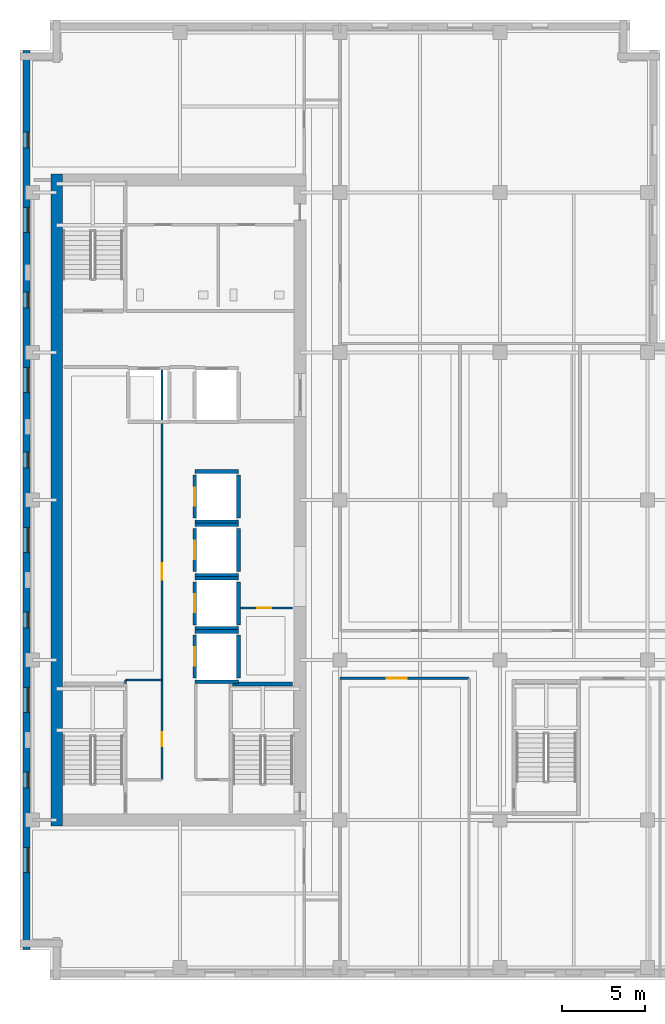
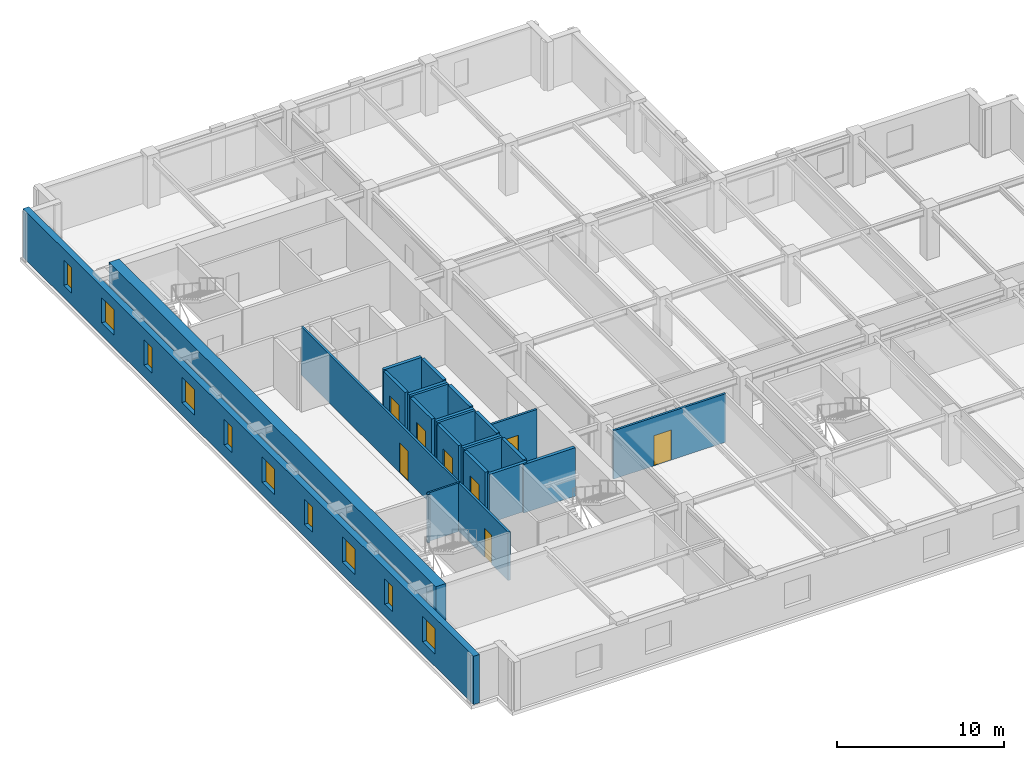
# One storey, part 4 of 11: 24 walls, 10 windows, 8 doors, 18 openings.
"""IFC4 building model written with IfcOpenShell, lengths in metres."""

from ifc_helpers import new_model, si_unit, direction, frame, frame_2d, origin, place, context, subcontext, project, spatial, rectangle, extrude, material, layer, layer_set, type_object, element, fill, save


model = new_model("IFC4")

# Units and contexts
model_context = context("Model", 3, precision=1e-05, world=origin(), true_north=direction((0.0, 1.0)))
body_context = subcontext(model_context, "Body", "Model", "MODEL_VIEW")
ifc_project = project(units=[si_unit("LENGTHUNIT", "METRE"), si_unit("AREAUNIT", "SQUARE_METRE"), si_unit("VOLUMEUNIT", "CUBIC_METRE"), si_unit("PLANEANGLEUNIT", "RADIAN"), si_unit("MASSUNIT", "GRAM", prefix="KILO")], contexts=[model_context])

# Site, building, storey
site_placement = place(None, origin())
site = spatial("IfcSite", under=ifc_project, at=site_placement, CompositionType="ELEMENT")
building_placement = place(site_placement, origin())
building = spatial("IfcBuilding", under=site, at=building_placement, Name="Norrvale University Quadrangle", CompositionType="ELEMENT")
storey_placement = place(building_placement, frame((0.0, 0.0, 206.60009765625)))
storey = spatial("IfcBuildingStorey", under=building, at=storey_placement, Name="L52", CompositionType="ELEMENT", Elevation=206.60009765625)

# Wall, openings, windows
ifc_material_1 = material(Name="Buff Norman Clay Brick Masonry", Category="masonry")
ifc_layer_1 = layer(ifc_material_1, 0.419921875, Name="Buff Norman Clay Brick Masonry")
ifc_layer_set_1 = layer_set([ifc_layer_1], Name="Buff Norman Clay Brick Masonry")
wall_type_1 = type_object("IfcWallType", Name="Wall Buff Brick 420", PredefinedType="SOLIDWALL", material=ifc_layer_set_1)
wall_1_placement = place(storey_placement, frame((0.389892578125, 55.760009765625, 0.0), z_axis=(0.0, 0.0, 1.0), x_axis=(0.0, -1.0, 0.0)))
wall_1 = element("IfcWall", 1, at=wall_1_placement, inside=storey, type_object=wall_type_1, Name="Exterior Brick Facade Wall L52-14.1", PredefinedType="SOLIDWALL", context=body_context, shape_type="SweptSolid", body=[
    extrude(rectangle(XDim=53.919921875, YDim=0.419921875, at=frame_2d((26.9599609375, 0.0))), origin(), (0.0, 0.0, 1.0), 3.539794921875),
])
opening_1_placement = place(wall_1_placement, frame((4.885009765625, 0.0, 0.89990234375)))
opening_1 = element("IfcOpeningElement", 2, at=opening_1_placement, cuts=wall_1, Name="Opening W04", PredefinedType="OPENING", context=body_context, shape_type="SweptSolid", body=[
    extrude(rectangle(XDim=0.949951171875, YDim=1.85009765625, at=frame_2d((0.47509765625, 0.925048828125))), frame((0.0, 0.221923828125, 0.0), z_axis=(0.0, -1.0, 0.0), x_axis=(1.0, 0.0, 0.0)), (0.0, 0.0, 1.0), 0.44384765625),
])
opening_2_placement = place(wall_1_placement, frame((9.409912109375, 0.0, 0.89990234375)))
opening_2 = element("IfcOpeningElement", 3, at=opening_2_placement, cuts=wall_1, Name="Opening W03", PredefinedType="OPENING", context=body_context, shape_type="SweptSolid", body=[
    extrude(rectangle(XDim=1.5, YDim=1.85009765625, at=frame_2d((0.75, 0.925048828125))), frame((0.0, 0.221923828125, 0.0), z_axis=(0.0, -1.0, 0.0), x_axis=(1.0, 0.0, 0.0)), (0.0, 0.0, 1.0), 0.44384765625),
])
opening_3_placement = place(wall_1_placement, frame((14.485107421875, 0.0, 0.89990234375)))
opening_3 = element("IfcOpeningElement", 4, at=opening_3_placement, cuts=wall_1, Name="Opening W04", PredefinedType="OPENING", context=body_context, shape_type="SweptSolid", body=[
    extrude(rectangle(XDim=0.949951171875, YDim=1.85009765625, at=frame_2d((0.47509765625, 0.925048828125))), frame((0.0, 0.221923828125, 0.0), z_axis=(0.0, -1.0, 0.0), x_axis=(1.0, 0.0, 0.0)), (0.0, 0.0, 1.0), 0.44384765625),
])
opening_4_placement = place(wall_1_placement, frame((19.010009765625, 0.0, 0.89990234375)))
opening_4 = element("IfcOpeningElement", 5, at=opening_4_placement, cuts=wall_1, Name="Opening W03", PredefinedType="OPENING", context=body_context, shape_type="SweptSolid", body=[
    extrude(rectangle(XDim=1.5, YDim=1.85009765625, at=frame_2d((0.75, 0.925048828125))), frame((0.0, 0.221923828125, 0.0), z_axis=(0.0, -1.0, 0.0), x_axis=(1.0, 0.0, 0.0)), (0.0, 0.0, 1.0), 0.44384765625),
])
opening_5_placement = place(wall_1_placement, frame((24.0849609375, 0.0, 0.89990234375)))
opening_5 = element("IfcOpeningElement", 6, at=opening_5_placement, cuts=wall_1, Name="Opening W04", PredefinedType="OPENING", context=body_context, shape_type="SweptSolid", body=[
    extrude(rectangle(XDim=0.949951171875, YDim=1.85009765625, at=frame_2d((0.47509765625, 0.925048828125))), frame((0.0, 0.221923828125, 0.0), z_axis=(0.0, -1.0, 0.0), x_axis=(1.0, 0.0, 0.0)), (0.0, 0.0, 1.0), 0.44384765625),
])
opening_6_placement = place(wall_1_placement, frame((28.610107421875, 0.0, 0.89990234375)))
opening_6 = element("IfcOpeningElement", 7, at=opening_6_placement, cuts=wall_1, Name="Opening W03", PredefinedType="OPENING", context=body_context, shape_type="SweptSolid", body=[
    extrude(rectangle(XDim=1.5, YDim=1.85009765625, at=frame_2d((0.75, 0.925048828125))), frame((0.0, 0.221923828125, 0.0), z_axis=(0.0, -1.0, 0.0), x_axis=(1.0, 0.0, 0.0)), (0.0, 0.0, 1.0), 0.44384765625),
])
opening_7_placement = place(wall_1_placement, frame((33.68505859375, 0.0, 0.89990234375)))
opening_7 = element("IfcOpeningElement", 8, at=opening_7_placement, cuts=wall_1, Name="Opening W04", PredefinedType="OPENING", context=body_context, shape_type="SweptSolid", body=[
    extrude(rectangle(XDim=0.949951171875, YDim=1.85009765625, at=frame_2d((0.47509765625, 0.925048828125))), frame((0.0, 0.221923828125, 0.0), z_axis=(0.0, -1.0, 0.0), x_axis=(1.0, 0.0, 0.0)), (0.0, 0.0, 1.0), 0.44384765625),
])
opening_8_placement = place(wall_1_placement, frame((38.2099609375, 0.0, 0.89990234375)))
opening_8 = element("IfcOpeningElement", 9, at=opening_8_placement, cuts=wall_1, Name="Opening W03", PredefinedType="OPENING", context=body_context, shape_type="SweptSolid", body=[
    extrude(rectangle(XDim=1.5, YDim=1.85009765625, at=frame_2d((0.75, 0.925048828125))), frame((0.0, 0.221923828125, 0.0), z_axis=(0.0, -1.0, 0.0), x_axis=(1.0, 0.0, 0.0)), (0.0, 0.0, 1.0), 0.44384765625),
])
opening_9_placement = place(wall_1_placement, frame((43.284912109375, 0.0, 0.89990234375)))
opening_9 = element("IfcOpeningElement", 10, at=opening_9_placement, cuts=wall_1, Name="Opening W04", PredefinedType="OPENING", context=body_context, shape_type="SweptSolid", body=[
    extrude(rectangle(XDim=0.949951171875, YDim=1.85009765625, at=frame_2d((0.47509765625, 0.925048828125))), frame((0.0, 0.221923828125, 0.0), z_axis=(0.0, -1.0, 0.0), x_axis=(1.0, 0.0, 0.0)), (0.0, 0.0, 1.0), 0.44384765625),
])
opening_10_placement = place(wall_1_placement, frame((47.81005859375, 0.0, 0.89990234375)))
opening_10 = element("IfcOpeningElement", 11, at=opening_10_placement, cuts=wall_1, Name="Opening W03", PredefinedType="OPENING", context=body_context, shape_type="SweptSolid", body=[
    extrude(rectangle(XDim=1.5, YDim=1.85009765625, at=frame_2d((0.75, 0.925048828125))), frame((0.0, 0.221923828125, 0.0), z_axis=(0.0, -1.0, 0.0), x_axis=(1.0, 0.0, 0.0)), (0.0, 0.0, 1.0), 0.44384765625),
])
ifc_material_2 = material(Name="Triple Low-E Argon Glazing", Category="glass")
window_type_1 = type_object("IfcWindowType", Name="Window Narrow Pier 950x2300", PartitioningType="SINGLE_PANEL", PredefinedType="WINDOW", material=ifc_material_2)
window_1_placement = place(opening_1_placement, origin())
window_1 = element("IfcWindow", 12, at=window_1_placement, inside=storey, type_object=window_type_1, Name="Window Narrow Pier 950x2300 WIN-L52-E14-1-01", OverallHeight=1.85009765625, OverallWidth=0.949951171875, PartitioningType="SINGLE_PANEL", PredefinedType="WINDOW", context=body_context, shape_type="SweptSolid", body=[
    extrude(rectangle(XDim=0.949951171875, YDim=1.85009765625, at=frame_2d((0.47509765625, 0.925048828125))), frame((0.0, 0.110107421875, 0.0), z_axis=(0.0, -1.0, 0.0), x_axis=(1.0, 0.0, 0.0)), (0.0, 0.0, 1.0), 0.06005859375),
])
fill(opening_1, window_1)
window_2_placement = place(opening_3_placement, origin())
window_2 = element("IfcWindow", 13, at=window_2_placement, inside=storey, type_object=window_type_1, Name="Window Narrow Pier 950x2300 WIN-L52-E14-1-03", OverallHeight=1.85009765625, OverallWidth=0.949951171875, PartitioningType="SINGLE_PANEL", PredefinedType="WINDOW", context=body_context, shape_type="SweptSolid", body=[
    extrude(rectangle(XDim=0.949951171875, YDim=1.85009765625, at=frame_2d((0.47509765625, 0.925048828125))), frame((0.0, 0.110107421875, 0.0), z_axis=(0.0, -1.0, 0.0), x_axis=(1.0, 0.0, 0.0)), (0.0, 0.0, 1.0), 0.06005859375),
])
fill(opening_3, window_2)
window_3_placement = place(opening_5_placement, origin())
window_3 = element("IfcWindow", 14, at=window_3_placement, inside=storey, type_object=window_type_1, Name="Window Narrow Pier 950x2300 WIN-L52-E14-1-05", OverallHeight=1.85009765625, OverallWidth=0.949951171875, PartitioningType="SINGLE_PANEL", PredefinedType="WINDOW", context=body_context, shape_type="SweptSolid", body=[
    extrude(rectangle(XDim=0.949951171875, YDim=1.85009765625, at=frame_2d((0.47509765625, 0.925048828125))), frame((0.0, 0.110107421875, 0.0), z_axis=(0.0, -1.0, 0.0), x_axis=(1.0, 0.0, 0.0)), (0.0, 0.0, 1.0), 0.06005859375),
])
fill(opening_5, window_3)
window_4_placement = place(opening_7_placement, origin())
window_4 = element("IfcWindow", 15, at=window_4_placement, inside=storey, type_object=window_type_1, Name="Window Narrow Pier 950x2300 WIN-L52-E14-1-07", OverallHeight=1.85009765625, OverallWidth=0.949951171875, PartitioningType="SINGLE_PANEL", PredefinedType="WINDOW", context=body_context, shape_type="SweptSolid", body=[
    extrude(rectangle(XDim=0.949951171875, YDim=1.85009765625, at=frame_2d((0.47509765625, 0.925048828125))), frame((0.0, 0.110107421875, 0.0), z_axis=(0.0, -1.0, 0.0), x_axis=(1.0, 0.0, 0.0)), (0.0, 0.0, 1.0), 0.06005859375),
])
fill(opening_7, window_4)
window_5_placement = place(opening_9_placement, origin())
window_5 = element("IfcWindow", 16, at=window_5_placement, inside=storey, type_object=window_type_1, Name="Window Narrow Pier 950x2300 WIN-L52-E14-1-09", OverallHeight=1.85009765625, OverallWidth=0.949951171875, PartitioningType="SINGLE_PANEL", PredefinedType="WINDOW", context=body_context, shape_type="SweptSolid", body=[
    extrude(rectangle(XDim=0.949951171875, YDim=1.85009765625, at=frame_2d((0.47509765625, 0.925048828125))), frame((0.0, 0.110107421875, 0.0), z_axis=(0.0, -1.0, 0.0), x_axis=(1.0, 0.0, 0.0)), (0.0, 0.0, 1.0), 0.06005859375),
])
fill(opening_9, window_5)
window_type_2 = type_object("IfcWindowType", Name="Window Studio 1500x2300", PartitioningType="DOUBLE_PANEL_VERTICAL", PredefinedType="WINDOW", material=ifc_material_2)
window_6_placement = place(opening_2_placement, origin())
window_6 = element("IfcWindow", 17, at=window_6_placement, inside=storey, type_object=window_type_2, Name="Window Studio 1500x2300 WIN-L52-E14-1-02", OverallHeight=1.85009765625, OverallWidth=1.5, PartitioningType="DOUBLE_PANEL_VERTICAL", PredefinedType="WINDOW", context=body_context, shape_type="SweptSolid", body=[
    extrude(rectangle(XDim=1.5, YDim=1.85009765625, at=frame_2d((0.75, 0.925048828125))), frame((0.0, 0.110107421875, 0.0), z_axis=(0.0, -1.0, 0.0), x_axis=(1.0, 0.0, 0.0)), (0.0, 0.0, 1.0), 0.06005859375),
])
fill(opening_2, window_6)
window_7_placement = place(opening_4_placement, origin())
window_7 = element("IfcWindow", 18, at=window_7_placement, inside=storey, type_object=window_type_2, Name="Window Studio 1500x2300 WIN-L52-E14-1-04", OverallHeight=1.85009765625, OverallWidth=1.5, PartitioningType="DOUBLE_PANEL_VERTICAL", PredefinedType="WINDOW", context=body_context, shape_type="SweptSolid", body=[
    extrude(rectangle(XDim=1.5, YDim=1.85009765625, at=frame_2d((0.75, 0.925048828125))), frame((0.0, 0.110107421875, 0.0), z_axis=(0.0, -1.0, 0.0), x_axis=(1.0, 0.0, 0.0)), (0.0, 0.0, 1.0), 0.06005859375),
])
fill(opening_4, window_7)
window_8_placement = place(opening_6_placement, origin())
window_8 = element("IfcWindow", 19, at=window_8_placement, inside=storey, type_object=window_type_2, Name="Window Studio 1500x2300 WIN-L52-E14-1-06", OverallHeight=1.85009765625, OverallWidth=1.5, PartitioningType="DOUBLE_PANEL_VERTICAL", PredefinedType="WINDOW", context=body_context, shape_type="SweptSolid", body=[
    extrude(rectangle(XDim=1.5, YDim=1.85009765625, at=frame_2d((0.75, 0.925048828125))), frame((0.0, 0.110107421875, 0.0), z_axis=(0.0, -1.0, 0.0), x_axis=(1.0, 0.0, 0.0)), (0.0, 0.0, 1.0), 0.06005859375),
])
fill(opening_6, window_8)
window_9_placement = place(opening_8_placement, origin())
window_9 = element("IfcWindow", 20, at=window_9_placement, inside=storey, type_object=window_type_2, Name="Window Studio 1500x2300 WIN-L52-E14-1-08", OverallHeight=1.85009765625, OverallWidth=1.5, PartitioningType="DOUBLE_PANEL_VERTICAL", PredefinedType="WINDOW", context=body_context, shape_type="SweptSolid", body=[
    extrude(rectangle(XDim=1.5, YDim=1.85009765625, at=frame_2d((0.75, 0.925048828125))), frame((0.0, 0.110107421875, 0.0), z_axis=(0.0, -1.0, 0.0), x_axis=(1.0, 0.0, 0.0)), (0.0, 0.0, 1.0), 0.06005859375),
])
fill(opening_8, window_9)
window_10_placement = place(opening_10_placement, origin())
window_10 = element("IfcWindow", 21, at=window_10_placement, inside=storey, type_object=window_type_2, Name="Window Studio 1500x2300 WIN-L52-E14-1-10", OverallHeight=1.85009765625, OverallWidth=1.5, PartitioningType="DOUBLE_PANEL_VERTICAL", PredefinedType="WINDOW", context=body_context, shape_type="SweptSolid", body=[
    extrude(rectangle(XDim=1.5, YDim=1.85009765625, at=frame_2d((0.75, 0.925048828125))), frame((0.0, 0.110107421875, 0.0), z_axis=(0.0, -1.0, 0.0), x_axis=(1.0, 0.0, 0.0)), (0.0, 0.0, 1.0), 0.06005859375),
])
fill(opening_10, window_10)

# Walls
ifc_material_3 = material(Name="Concrete C60/75", Category="concrete")
ifc_layer_2 = layer(ifc_material_3, 0.699951171875, Name="Concrete C60/75")
ifc_layer_set_2 = layer_set([ifc_layer_2], Name="Concrete C60/75")
wall_type_2 = type_object("IfcWallType", Name="Wall Core 700", PredefinedType="SHEAR", material=ifc_layer_set_2)
wall_2_placement = place(storey_placement, frame((2.199951171875, 9.25, 0.0), z_axis=(0.0, 0.0, 1.0), x_axis=(0.0, 1.0, 0.0)))
element("IfcWall", 22, at=wall_2_placement, inside=storey, type_object=wall_type_2, Name="Tower Core Shear Wall L52-W", PredefinedType="SHEAR", context=body_context, shape_type="SweptSolid", body=[
    extrude(rectangle(XDim=39.10009765625, YDim=0.699951171875, at=frame_2d((19.550048828125, 0.0))), origin(), (0.0, 0.0, 1.0), 3.539794921875),
])
ifc_material_4 = material(Name="Standard Academic Gypsum Partition")
ifc_layer_3 = layer(ifc_material_4, 0.125, Name="Standard Academic Gypsum Partition")
ifc_layer_set_3 = layer_set([ifc_layer_3], Name="Standard Academic Gypsum Partition")
wall_type_3 = type_object("IfcWallType", Name="Wall Gypsum Academic 125", PredefinedType="PARTITIONING", material=ifc_layer_set_3)
wall_3_placement = place(storey_placement, frame((6.320068359375, 17.800048828125, 0.0), z_axis=(0.0, 0.0, 1.0), x_axis=(0.0, 1.0, 0.0)))
element("IfcWall", 23, at=wall_3_placement, inside=storey, type_object=wall_type_3, Name="Interior Partition WL-L52-REC-L1", PredefinedType="PARTITIONING", context=body_context, shape_type="SweptSolid", body=[
    extrude(rectangle(XDim=0.199951171875, YDim=0.125, at=frame_2d((0.10009765625, 0.0))), origin(), (0.0, 0.0, 1.0), 3.539794921875),
])
wall_4_placement = place(storey_placement, frame((6.320068359375, 18.0, 0.0), z_axis=(0.0, 0.0, 1.0), x_axis=(1.0, 0.0, 0.0)))
element("IfcWall", 24, at=wall_4_placement, inside=storey, type_object=wall_type_3, Name="Interior Partition WL-L52-REC-L2", PredefinedType="PARTITIONING", context=body_context, shape_type="SweptSolid", body=[
    extrude(rectangle(XDim=2.199951171875, YDim=0.125, at=frame_2d((1.10009765625, 0.0))), origin(), (0.0, 0.0, 1.0), 3.539794921875),
])

# Wall, opening, door
ifc_material_5 = material(Name="Fire-Rated Gypsum Stud Partition")
ifc_layer_4 = layer(ifc_material_5, 0.14990234375, Name="Fire-Rated Gypsum Stud Partition")
ifc_layer_set_4 = layer_set([ifc_layer_4], Name="Fire-Rated Gypsum Stud Partition")
wall_type_4 = type_object("IfcWallType", Name="Wall Gypsum Corridor 150", PredefinedType="PARTITIONING", material=ifc_layer_set_4)
wall_5_placement = place(storey_placement, frame((13.22509765625, 22.320068359375, 0.0), z_axis=(0.0, 0.0, 1.0), x_axis=(1.0, 0.0, 0.0)))
wall_5 = element("IfcWall", 25, at=wall_5_placement, inside=storey, type_object=wall_type_4, Name="Interior Partition WL-L52-JAN-N", PredefinedType="PARTITIONING", context=body_context, shape_type="SweptSolid", body=[
    extrude(rectangle(XDim=3.119873046875, YDim=0.14990234375, at=frame_2d((1.56005859375, 0.0))), origin(), (0.0, 0.0, 1.0), 3.539794921875),
])
opening_11_placement = place(wall_5_placement, frame((1.0, 0.0, 0.0)))
opening_11 = element("IfcOpeningElement", 26, at=opening_11_placement, cuts=wall_5, Name="Opening D10", PredefinedType="OPENING", context=body_context, shape_type="SweptSolid", body=[
    extrude(rectangle(XDim=0.85009765625, YDim=2.10009765625, at=frame_2d((0.425048828125, 1.050048828125))), frame((0.0, 0.0869140625, 0.0), z_axis=(0.0, -1.0, 0.0), x_axis=(1.0, 0.0, 0.0)), (0.0, 0.0, 1.0), 0.173828125),
])
ifc_material_6 = material(Name="Hollow Steel 350W Riser Fire Door", Category="steel")
door_type_1 = type_object("IfcDoorType", Name="Door Riser 850x2100", OperationType="NOTDEFINED", PredefinedType="DOOR", material=ifc_material_6)
door_1_placement = place(opening_11_placement, origin())
door_1 = element("IfcDoor", 27, at=door_1_placement, inside=storey, type_object=door_type_1, Name="Door Riser 850x2100 DR-L52-JAN", OperationType="SINGLE_SWING_LEFT", OverallHeight=2.10009765625, OverallWidth=0.85009765625, PredefinedType="DOOR", context=body_context, shape_type="SweptSolid", body=[
    extrude(rectangle(XDim=0.85009765625, YDim=2.10009765625, at=frame_2d((0.425048828125, 1.050048828125))), frame((0.0, 0.02490234375, 0.0), z_axis=(0.0, -1.0, 0.0), x_axis=(1.0, 0.0, 0.0)), (0.0, 0.0, 1.0), 0.050048828125),
])
fill(opening_11, door_1)

# Wall, openings, doors
wall_6_placement = place(storey_placement, frame((8.52001953125, 12.02001953125, 0.0), z_axis=(0.0, 0.0, 1.0), x_axis=(0.0, 1.0, 0.0)))
wall_6 = element("IfcWall", 28, at=wall_6_placement, inside=storey, type_object=wall_type_4, Name="Interior Partition WL-L52-REC-E", PredefinedType="PARTITIONING", context=body_context, shape_type="SweptSolid", body=[
    extrude(rectangle(XDim=24.760009765625, YDim=0.14990234375, at=frame_2d((12.3798828125, 0.0))), origin(), (0.0, 0.0, 1.0), 3.539794921875),
])
opening_12_placement = place(wall_6_placement, frame((2.0, 0.0, 0.0)))
opening_12 = element("IfcOpeningElement", 29, at=opening_12_placement, cuts=wall_6, Name="Opening D10", PredefinedType="OPENING", context=body_context, shape_type="SweptSolid", body=[
    extrude(rectangle(XDim=0.85009765625, YDim=2.10009765625, at=frame_2d((0.425048828125, 1.050048828125))), frame((0.0, 0.0869140625, 0.0), z_axis=(0.0, -1.0, 0.0), x_axis=(1.0, 0.0, 0.0)), (0.0, 0.0, 1.0), 0.173828125),
])
opening_13_placement = place(wall_6_placement, frame((12.0, 0.0, 0.0)))
opening_13 = element("IfcOpeningElement", 30, at=opening_13_placement, cuts=wall_6, Name="Opening D04", PredefinedType="OPENING", context=body_context, shape_type="SweptSolid", body=[
    extrude(rectangle(XDim=1.0, YDim=2.199951171875, at=frame_2d((0.5, 1.10009765625))), frame((0.0, 0.0869140625, 0.0), z_axis=(0.0, -1.0, 0.0), x_axis=(1.0, 0.0, 0.0)), (0.0, 0.0, 1.0), 0.173828125),
])
ifc_material_7 = material(Name="Solid-Core Oak Fire Door", Category="wood")
door_type_2 = type_object("IfcDoorType", Name="Door Corridor 1000x2200", OperationType="NOTDEFINED", PredefinedType="DOOR", material=ifc_material_7)
door_2_placement = place(opening_13_placement, origin())
door_2 = element("IfcDoor", 31, at=door_2_placement, inside=storey, type_object=door_type_2, Name="Door Corridor 1000x2200 DR-L52-REC2", OperationType="SINGLE_SWING_RIGHT", OverallHeight=2.199951171875, OverallWidth=1.0, PredefinedType="DOOR", context=body_context, shape_type="SweptSolid", body=[
    extrude(rectangle(XDim=1.0, YDim=2.199951171875, at=frame_2d((0.5, 1.10009765625))), frame((0.0, 0.02490234375, 0.0), z_axis=(0.0, -1.0, 0.0), x_axis=(1.0, 0.0, 0.0)), (0.0, 0.0, 1.0), 0.050048828125),
])
fill(opening_13, door_2)
door_3_placement = place(opening_12_placement, origin())
door_3 = element("IfcDoor", 32, at=door_3_placement, inside=storey, type_object=door_type_1, Name="Door Riser 850x2100 DR-L52-REC1", OperationType="SINGLE_SWING_LEFT", OverallHeight=2.10009765625, OverallWidth=0.85009765625, PredefinedType="DOOR", context=body_context, shape_type="SweptSolid", body=[
    extrude(rectangle(XDim=0.85009765625, YDim=2.10009765625, at=frame_2d((0.425048828125, 1.050048828125))), frame((0.0, 0.02490234375, 0.0), z_axis=(0.0, -1.0, 0.0), x_axis=(1.0, 0.0, 0.0)), (0.0, 0.0, 1.0), 0.050048828125),
])
fill(opening_12, door_3)

# Wall, opening, door
wall_7_placement = place(storey_placement, frame((19.199951171875, 18.10009765625, 0.0), z_axis=(0.0, 0.0, 1.0), x_axis=(1.0, 0.0, 0.0)))
wall_7 = element("IfcWall", 33, at=wall_7_placement, inside=storey, type_object=wall_type_4, Name="Interior Partition WL-L52-SEW1", PredefinedType="PARTITIONING", context=body_context, shape_type="SweptSolid", body=[
    extrude(rectangle(XDim=7.75, YDim=0.14990234375, at=frame_2d((3.875, 0.0))), origin(), (0.0, 0.0, 1.0), 3.539794921875),
])
opening_14_placement = place(wall_7_placement, frame((2.800048828125, 0.0, 0.0)))
opening_14 = element("IfcOpeningElement", 34, at=opening_14_placement, cuts=wall_7, Name="Opening D05", PredefinedType="OPENING", context=body_context, shape_type="SweptSolid", body=[
    extrude(rectangle(XDim=1.199951171875, YDim=2.199951171875, at=frame_2d((0.60009765625, 1.10009765625))), frame((0.0, 0.0869140625, 0.0), z_axis=(0.0, -1.0, 0.0), x_axis=(1.0, 0.0, 0.0)), (0.0, 0.0, 1.0), 0.173828125),
])
ifc_material_8 = material(Name="Acoustic Oak Classroom Door", Category="wood")
door_type_3 = type_object("IfcDoorType", Name="Door Classroom 1200x2200", OperationType="NOTDEFINED", PredefinedType="DOOR", material=ifc_material_8)
door_4_placement = place(opening_14_placement, origin())
door_4 = element("IfcDoor", 35, at=door_4_placement, inside=storey, type_object=door_type_3, Name="Door Classroom 1200x2200 DR-L52-SE1", OperationType="SINGLE_SWING_LEFT", OverallHeight=2.199951171875, OverallWidth=1.199951171875, PredefinedType="DOOR", context=body_context, shape_type="SweptSolid", body=[
    extrude(rectangle(XDim=1.199951171875, YDim=2.199951171875, at=frame_2d((0.60009765625, 1.10009765625))), frame((0.0, 0.02490234375, 0.0), z_axis=(0.0, -1.0, 0.0), x_axis=(1.0, 0.0, 0.0)), (0.0, 0.0, 1.0), 0.050048828125),
])
fill(opening_14, door_4)

# Wall
ifc_material_9 = material(Name="Concrete Blockwork 20 MPa Fire Shaft", Category="masonry")
ifc_layer_5 = layer(ifc_material_9, 0.219970703125, Name="Concrete Blockwork 20 MPa Fire Shaft")
ifc_layer_set_5 = layer_set([ifc_layer_5], Name="Concrete Blockwork 20 MPa Fire Shaft")
wall_type_5 = type_object("IfcWallType", Name="Wall Shaft 220", PredefinedType="SOLIDWALL", material=ifc_layer_set_5)
wall_8_placement = place(storey_placement, frame((12.75, 17.760009765625, 0.0), z_axis=(0.0, 0.0, 1.0), x_axis=(1.0, 0.0, 0.0)))
element("IfcWall", 36, at=wall_8_placement, inside=storey, type_object=wall_type_5, Name="Stair ST-03 North Shaft Wall L52", PredefinedType="SOLIDWALL", context=body_context, shape_type="SweptSolid", body=[
    extrude(rectangle(XDim=3.60009765625, YDim=0.219970703125, at=frame_2d((1.800048828125, 0.0))), origin(), (0.0, 0.0, 1.0), 3.539794921875),
])

# Wall, opening, door
wall_9_placement = place(storey_placement, frame((10.489990234375, 18.110107421875, 0.0), z_axis=(0.0, 0.0, 1.0), x_axis=(0.0, 1.0, 0.0)))
wall_9 = element("IfcWall", 37, at=wall_9_placement, inside=storey, type_object=wall_type_5, Name="Hoistway PL-05 West Wall L52", PredefinedType="SOLIDWALL", context=body_context, shape_type="SweptSolid", body=[
    extrude(rectangle(XDim=2.579833984375, YDim=0.219970703125, at=frame_2d((1.2900390625, 0.0))), origin(), (0.0, 0.0, 1.0), 3.539794921875),
])
opening_15_placement = place(wall_9_placement, frame((0.739990234375, 0.0, 0.0)))
opening_15 = element("IfcOpeningElement", 38, at=opening_15_placement, cuts=wall_9, Name="Opening LD1", PredefinedType="OPENING", context=body_context, shape_type="SweptSolid", body=[
    extrude(rectangle(XDim=1.10009765625, YDim=2.199951171875, at=frame_2d((0.550048828125, 1.10009765625))), frame((0.0, 0.1220703125, 0.0), z_axis=(0.0, -1.0, 0.0), x_axis=(1.0, 0.0, 0.0)), (0.0, 0.0, 1.0), 0.243896484375),
])
ifc_material_10 = material(Name="Stainless Steel 316L Lift Landing Door", Category="steel")
door_type_4 = type_object("IfcDoorType", Name="Door Lift Landing 1100x2200", OperationType="DOUBLE_DOOR_SLIDING", PredefinedType="DOOR", material=ifc_material_10)
door_5_placement = place(opening_15_placement, origin())
door_5 = element("IfcDoor", 39, at=door_5_placement, inside=storey, type_object=door_type_4, Name="Elevator Landing Door DR-L52-PL-05", OperationType="DOUBLE_DOOR_SLIDING", OverallHeight=2.199951171875, OverallWidth=1.10009765625, PredefinedType="DOOR", context=body_context, shape_type="SweptSolid", body=[
    extrude(rectangle(XDim=1.10009765625, YDim=2.199951171875, at=frame_2d((0.550048828125, 1.10009765625))), frame((0.0, 0.02490234375, 0.0), z_axis=(0.0, -1.0, 0.0), x_axis=(1.0, 0.0, 0.0)), (0.0, 0.0, 1.0), 0.050048828125),
])
fill(opening_15, door_5)

# Walls
wall_10_placement = place(storey_placement, frame((13.110107421875, 18.110107421875, 0.0), z_axis=(0.0, 0.0, 1.0), x_axis=(0.0, 1.0, 0.0)))
element("IfcWall", 40, at=wall_10_placement, inside=storey, type_object=wall_type_5, Name="Hoistway PL-05 East Wall L52", PredefinedType="SOLIDWALL", context=body_context, shape_type="SweptSolid", body=[
    extrude(rectangle(XDim=2.579833984375, YDim=0.219970703125, at=frame_2d((1.2900390625, 0.0))), origin(), (0.0, 0.0, 1.0), 3.539794921875),
])
for number, where, z_axis, x_axis, name in (
    (41, (10.489990234375, 17.889892578125, 0.0), (0.0, 0.0, 1.0), (1.0, 0.0, 0.0), "Hoistway PL-05 South Wall L52"),
    (42, (10.489990234375, 20.909912109375, 0.0), (0.0, 0.0, 1.0), (1.0, 0.0, 0.0), "Hoistway PL-05 North Wall L52"),
):
    element("IfcWall", number, at=place(storey_placement, frame(where, z_axis=z_axis, x_axis=x_axis)), inside=storey, type_object=wall_type_5, Name=name, PredefinedType="SOLIDWALL", context=body_context, shape_type="SweptSolid", body=[
        extrude(rectangle(XDim=2.6201171875, YDim=0.219970703125, at=frame_2d((1.31005859375, 0.0))), origin(), (0.0, 0.0, 1.0), 3.539794921875),
    ])

# Wall, opening, door
wall_11_placement = place(storey_placement, frame((10.489990234375, 21.31005859375, 0.0), z_axis=(0.0, 0.0, 1.0), x_axis=(0.0, 1.0, 0.0)))
wall_11 = element("IfcWall", 43, at=wall_11_placement, inside=storey, type_object=wall_type_5, Name="Hoistway PL-06 West Wall L52", PredefinedType="SOLIDWALL", context=body_context, shape_type="SweptSolid", body=[
    extrude(rectangle(XDim=2.579833984375, YDim=0.219970703125, at=frame_2d((1.2900390625, 0.0))), origin(), (0.0, 0.0, 1.0), 3.539794921875),
])
opening_16_placement = place(wall_11_placement, frame((0.739990234375, 0.0, 0.0)))
opening_16 = element("IfcOpeningElement", 44, at=opening_16_placement, cuts=wall_11, Name="Opening LD1", PredefinedType="OPENING", context=body_context, shape_type="SweptSolid", body=[
    extrude(rectangle(XDim=1.10009765625, YDim=2.199951171875, at=frame_2d((0.550048828125, 1.10009765625))), frame((0.0, 0.1220703125, 0.0), z_axis=(0.0, -1.0, 0.0), x_axis=(1.0, 0.0, 0.0)), (0.0, 0.0, 1.0), 0.243896484375),
])
door_6_placement = place(opening_16_placement, origin())
door_6 = element("IfcDoor", 45, at=door_6_placement, inside=storey, type_object=door_type_4, Name="Elevator Landing Door DR-L52-PL-06", OperationType="DOUBLE_DOOR_SLIDING", OverallHeight=2.199951171875, OverallWidth=1.10009765625, PredefinedType="DOOR", context=body_context, shape_type="SweptSolid", body=[
    extrude(rectangle(XDim=1.10009765625, YDim=2.199951171875, at=frame_2d((0.550048828125, 1.10009765625))), frame((0.0, 0.02490234375, 0.0), z_axis=(0.0, -1.0, 0.0), x_axis=(1.0, 0.0, 0.0)), (0.0, 0.0, 1.0), 0.050048828125),
])
fill(opening_16, door_6)

# Walls
wall_12_placement = place(storey_placement, frame((13.110107421875, 21.31005859375, 0.0), z_axis=(0.0, 0.0, 1.0), x_axis=(0.0, 1.0, 0.0)))
element("IfcWall", 46, at=wall_12_placement, inside=storey, type_object=wall_type_5, Name="Hoistway PL-06 East Wall L52", PredefinedType="SOLIDWALL", context=body_context, shape_type="SweptSolid", body=[
    extrude(rectangle(XDim=2.579833984375, YDim=0.219970703125, at=frame_2d((1.2900390625, 0.0))), origin(), (0.0, 0.0, 1.0), 3.539794921875),
])
for number, where, z_axis, x_axis, name in (
    (47, (10.489990234375, 21.090087890625, 0.0), (0.0, 0.0, 1.0), (1.0, 0.0, 0.0), "Hoistway PL-06 South Wall L52"),
    (48, (10.489990234375, 24.110107421875, 0.0), (0.0, 0.0, 1.0), (1.0, 0.0, 0.0), "Hoistway PL-06 North Wall L52"),
):
    element("IfcWall", number, at=place(storey_placement, frame(where, z_axis=z_axis, x_axis=x_axis)), inside=storey, type_object=wall_type_5, Name=name, PredefinedType="SOLIDWALL", context=body_context, shape_type="SweptSolid", body=[
        extrude(rectangle(XDim=2.6201171875, YDim=0.219970703125, at=frame_2d((1.31005859375, 0.0))), origin(), (0.0, 0.0, 1.0), 3.539794921875),
    ])

# Wall, opening, door
wall_13_placement = place(storey_placement, frame((10.489990234375, 24.510009765625, 0.0), z_axis=(0.0, 0.0, 1.0), x_axis=(0.0, 1.0, 0.0)))
wall_13 = element("IfcWall", 49, at=wall_13_placement, inside=storey, type_object=wall_type_5, Name="Hoistway PL-07 West Wall L52", PredefinedType="SOLIDWALL", context=body_context, shape_type="SweptSolid", body=[
    extrude(rectangle(XDim=2.580078125, YDim=0.219970703125, at=frame_2d((1.2900390625, 0.0))), origin(), (0.0, 0.0, 1.0), 3.539794921875),
])
opening_17_placement = place(wall_13_placement, frame((0.739990234375, 0.0, 0.0)))
opening_17 = element("IfcOpeningElement", 50, at=opening_17_placement, cuts=wall_13, Name="Opening LD1", PredefinedType="OPENING", context=body_context, shape_type="SweptSolid", body=[
    extrude(rectangle(XDim=1.10009765625, YDim=2.199951171875, at=frame_2d((0.550048828125, 1.10009765625))), frame((0.0, 0.1220703125, 0.0), z_axis=(0.0, -1.0, 0.0), x_axis=(1.0, 0.0, 0.0)), (0.0, 0.0, 1.0), 0.243896484375),
])
door_7_placement = place(opening_17_placement, origin())
door_7 = element("IfcDoor", 51, at=door_7_placement, inside=storey, type_object=door_type_4, Name="Elevator Landing Door DR-L52-PL-07", OperationType="DOUBLE_DOOR_SLIDING", OverallHeight=2.199951171875, OverallWidth=1.10009765625, PredefinedType="DOOR", context=body_context, shape_type="SweptSolid", body=[
    extrude(rectangle(XDim=1.10009765625, YDim=2.199951171875, at=frame_2d((0.550048828125, 1.10009765625))), frame((0.0, 0.02490234375, 0.0), z_axis=(0.0, -1.0, 0.0), x_axis=(1.0, 0.0, 0.0)), (0.0, 0.0, 1.0), 0.050048828125),
])
fill(opening_17, door_7)

# Walls
wall_14_placement = place(storey_placement, frame((13.110107421875, 24.510009765625, 0.0), z_axis=(0.0, 0.0, 1.0), x_axis=(0.0, 1.0, 0.0)))
element("IfcWall", 52, at=wall_14_placement, inside=storey, type_object=wall_type_5, Name="Hoistway PL-07 East Wall L52", PredefinedType="SOLIDWALL", context=body_context, shape_type="SweptSolid", body=[
    extrude(rectangle(XDim=2.580078125, YDim=0.219970703125, at=frame_2d((1.2900390625, 0.0))), origin(), (0.0, 0.0, 1.0), 3.539794921875),
])
for number, where, z_axis, x_axis, name in (
    (53, (10.489990234375, 24.2900390625, 0.0), (0.0, 0.0, 1.0), (1.0, 0.0, 0.0), "Hoistway PL-07 South Wall L52"),
    (54, (10.489990234375, 27.31005859375, 0.0), (0.0, 0.0, 1.0), (1.0, 0.0, 0.0), "Hoistway PL-07 North Wall L52"),
):
    element("IfcWall", number, at=place(storey_placement, frame(where, z_axis=z_axis, x_axis=x_axis)), inside=storey, type_object=wall_type_5, Name=name, PredefinedType="SOLIDWALL", context=body_context, shape_type="SweptSolid", body=[
        extrude(rectangle(XDim=2.6201171875, YDim=0.219970703125, at=frame_2d((1.31005859375, 0.0))), origin(), (0.0, 0.0, 1.0), 3.539794921875),
    ])

# Wall, opening, door
wall_15_placement = place(storey_placement, frame((10.489990234375, 27.7099609375, 0.0), z_axis=(0.0, 0.0, 1.0), x_axis=(0.0, 1.0, 0.0)))
wall_15 = element("IfcWall", 55, at=wall_15_placement, inside=storey, type_object=wall_type_5, Name="Hoistway PL-08 West Wall L52", PredefinedType="SOLIDWALL", context=body_context, shape_type="SweptSolid", body=[
    extrude(rectangle(XDim=2.580078125, YDim=0.219970703125, at=frame_2d((1.2900390625, 0.0))), origin(), (0.0, 0.0, 1.0), 3.539794921875),
])
opening_18_placement = place(wall_15_placement, frame((0.739990234375, 0.0, 0.0)))
opening_18 = element("IfcOpeningElement", 56, at=opening_18_placement, cuts=wall_15, Name="Opening LD1", PredefinedType="OPENING", context=body_context, shape_type="SweptSolid", body=[
    extrude(rectangle(XDim=1.10009765625, YDim=2.199951171875, at=frame_2d((0.550048828125, 1.10009765625))), frame((0.0, 0.1220703125, 0.0), z_axis=(0.0, -1.0, 0.0), x_axis=(1.0, 0.0, 0.0)), (0.0, 0.0, 1.0), 0.243896484375),
])
door_8_placement = place(opening_18_placement, origin())
door_8 = element("IfcDoor", 57, at=door_8_placement, inside=storey, type_object=door_type_4, Name="Elevator Landing Door DR-L52-PL-08", OperationType="DOUBLE_DOOR_SLIDING", OverallHeight=2.199951171875, OverallWidth=1.10009765625, PredefinedType="DOOR", context=body_context, shape_type="SweptSolid", body=[
    extrude(rectangle(XDim=1.10009765625, YDim=2.199951171875, at=frame_2d((0.550048828125, 1.10009765625))), frame((0.0, 0.02490234375, 0.0), z_axis=(0.0, -1.0, 0.0), x_axis=(1.0, 0.0, 0.0)), (0.0, 0.0, 1.0), 0.050048828125),
])
fill(opening_18, door_8)

# Walls
wall_16_placement = place(storey_placement, frame((13.110107421875, 27.7099609375, 0.0), z_axis=(0.0, 0.0, 1.0), x_axis=(0.0, 1.0, 0.0)))
element("IfcWall", 58, at=wall_16_placement, inside=storey, type_object=wall_type_5, Name="Hoistway PL-08 East Wall L52", PredefinedType="SOLIDWALL", context=body_context, shape_type="SweptSolid", body=[
    extrude(rectangle(XDim=2.580078125, YDim=0.219970703125, at=frame_2d((1.2900390625, 0.0))), origin(), (0.0, 0.0, 1.0), 3.539794921875),
])
for number, where, z_axis, x_axis, name in (
    (59, (10.489990234375, 27.489990234375, 0.0), (0.0, 0.0, 1.0), (1.0, 0.0, 0.0), "Hoistway PL-08 South Wall L52"),
    (60, (10.489990234375, 30.510009765625, 0.0), (0.0, 0.0, 1.0), (1.0, 0.0, 0.0), "Hoistway PL-08 North Wall L52"),
):
    element("IfcWall", number, at=place(storey_placement, frame(where, z_axis=z_axis, x_axis=x_axis)), inside=storey, type_object=wall_type_5, Name=name, PredefinedType="SOLIDWALL", context=body_context, shape_type="SweptSolid", body=[
        extrude(rectangle(XDim=2.6201171875, YDim=0.219970703125, at=frame_2d((1.31005859375, 0.0))), origin(), (0.0, 0.0, 1.0), 3.539794921875),
    ])

save(model, "model.ifc")
